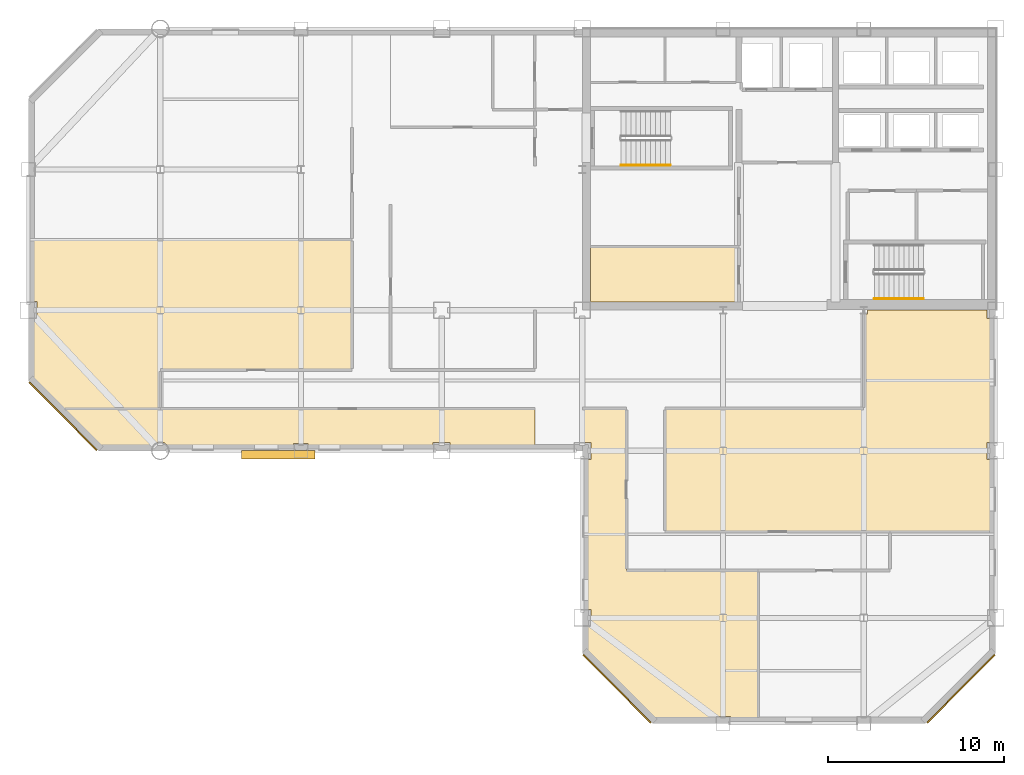
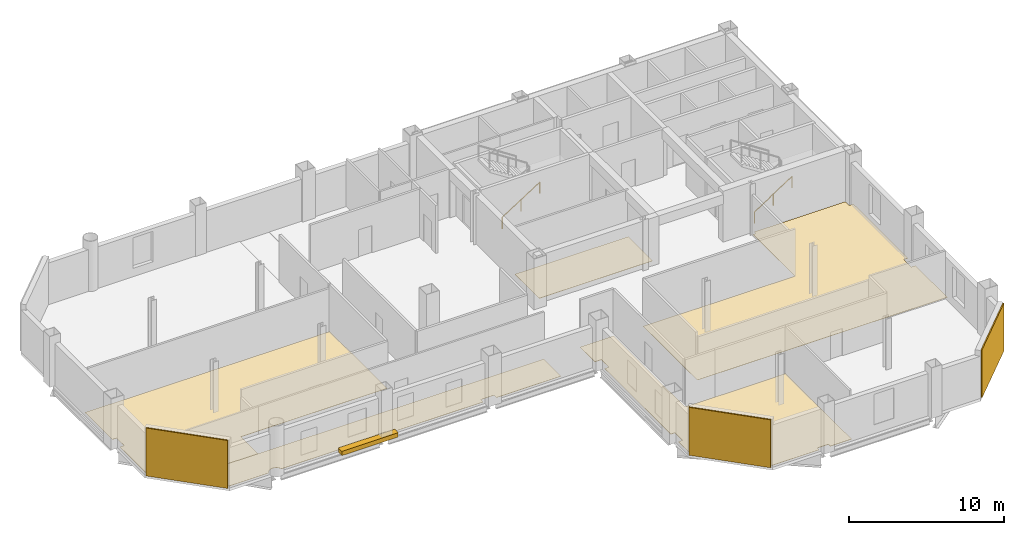
# One storey, part 7 of 10: 8 coverings, 2 railings, 1 shading device.
"""IFC4 building model written with IfcOpenShell, lengths in metres."""

from ifc_helpers import new_model, si_unit, direction, frame, origin, origin_2d, place, context, subcontext, project, spatial, polyline, rectangle, circle, outline, extrude, material, layer, layer_set, type_object, element, save


model = new_model("IFC4")

# Units and contexts
model_context = context("Model", 3, precision=1e-05, world=origin(), true_north=direction((0.0, 1.0)))
body_context = subcontext(model_context, "Body", "Model", "MODEL_VIEW")
ifc_project = project(units=[si_unit("LENGTHUNIT", "METRE"), si_unit("AREAUNIT", "SQUARE_METRE"), si_unit("VOLUMEUNIT", "CUBIC_METRE"), si_unit("PLANEANGLEUNIT", "RADIAN"), si_unit("MASSUNIT", "GRAM", prefix="KILO")], contexts=[model_context])

# Site, building, storey
site_placement = place(None, origin())
site = spatial("IfcSite", under=ifc_project, at=site_placement, CompositionType="ELEMENT")
building_placement = place(site_placement, origin())
building = spatial("IfcBuilding", under=site, at=building_placement, Name="Qianrong Seaharbour Tower", CompositionType="ELEMENT")
storey_placement = place(building_placement, frame((0.0, 0.0, 233.800048828125)))
storey = spatial("IfcBuildingStorey", under=building, at=storey_placement, Name="L56", CompositionType="ELEMENT", Elevation=233.800048828125)

# Coverings
ifc_material_1 = material(Name="Unitised red brick cladding on Precast concrete C45/55", Category="masonry")
ifc_layer_1 = layer(ifc_material_1, 0.080078125)
ifc_layer_set_1 = layer_set([ifc_layer_1], Name="Unitised red brick cladding on Precast concrete C45/55")
covering_type_1 = type_object("IfcCoveringType", Name="COV-CLAD-RED-BRICK-80", PredefinedType="CLADDING", material=ifc_layer_set_1)
for number, where, z_axis, x_axis, name in (
    (1, (10.9716796875, 29.9716796875, 0.0), (0.0, 0.0, 1.0), (-0.707106781187, 0.707106781187, 0.0), "L56 Chamfer Corner Brick Cladding 02"),
    (2, (62.0283203125, 14.4716796875, 0.0), (0.0, 0.0, 1.0), (-0.707106781187, -0.707106781187, 0.0), "L56 Chamfer Corner Brick Cladding 07"),
    (3, (42.4716796875, 14.4716796875, 0.0), (0.0, 0.0, 1.0), (-0.707106781187, 0.707106781187, 0.0), "L56 Chamfer Corner Brick Cladding 09"),
):
    element("IfcCovering", number, at=place(storey_placement, frame(where, z_axis=z_axis, x_axis=x_axis)), inside=storey, type_object=covering_type_1, Name=name, PredefinedType="CLADDING", context=body_context, shape_type="SweptSolid", body=[
        extrude(rectangle(XDim=5.456787109375, YDim=0.080078125, at=origin_2d()), origin(), (0.0, 0.0, 1.0), 3.77490234375),
    ])
ifc_material_2 = material(Name="Acoustic modular carpet tile flooring")
ifc_layer_2 = layer(ifc_material_2, 0.02001953125)
ifc_layer_set_2 = layer_set([ifc_layer_2], Name="Acoustic modular carpet tile flooring")
covering_type_2 = type_object("IfcCoveringType", Name="COV-FLOOR-CARPET-20", PredefinedType="FLOORING", material=ifc_layer_set_2)
covering_1_placement = place(storey_placement, origin())
element("IfcCovering", 4, at=covering_1_placement, inside=storey, type_object=covering_type_2, Name="L56 Wellness Room Finish Flooring", PredefinedType="FLOORING", context=body_context, shape_type="SweptSolid", body=[
    extrude(outline(polyline([(49.39990234375, 39.60009765625), (49.39990234375, 36.4599609375), (40.985107421875, 36.4599609375), (40.985107421875, 36.485107421875), (40.9599609375, 36.485107421875), (40.9599609375, 39.60009765625), (49.39990234375, 39.60009765625)])), origin(), (0.0, 0.0, 1.0), 0.02001953125),
])
covering_2_placement = place(storey_placement, origin())
element("IfcCovering", 5, at=covering_2_placement, inside=storey, type_object=covering_type_2, Name="L56 Project Library Finish Flooring", PredefinedType="FLOORING", context=body_context, shape_type="SweptSolid", body=[
    extrude(outline(polyline([(16.5, 32.60009765625), (16.5, 30.39990234375), (10.847412109375, 30.39990234375), (9.175048828125, 32.072509765625), (9.175048828125, 35.514892578125), (9.485107421875, 35.514892578125), (9.485107421875, 36.485107421875), (9.175048828125, 36.485107421875), (9.175048828125, 40.0), (27.39990234375, 40.0), (27.39990234375, 32.60009765625), (16.5, 32.60009765625)])), origin(), (0.0, 0.0, 1.0), 0.02001953125),
])
covering_3_placement = place(storey_placement, origin())
element("IfcCovering", 6, at=covering_3_placement, inside=storey, type_object=covering_type_2, Name="L56 Staff Club Assembly Hall Finish Flooring", PredefinedType="FLOORING", context=body_context, shape_type="SweptSolid", body=[
    extrude(outline(polyline([(56.5, 30.39990234375), (56.5, 35.7900390625), (56.7099609375, 35.7900390625), (56.7099609375, 36.0), (63.514892578125, 36.0), (63.514892578125, 35.514892578125), (63.824951171875, 35.514892578125), (63.824951171875, 28.485107421875), (63.514892578125, 28.485107421875), (63.514892578125, 27.514892578125), (63.824951171875, 27.514892578125), (63.824951171875, 23.39990234375), (45.199951171875, 23.39990234375), (45.199951171875, 30.39990234375), (56.5, 30.39990234375)])), origin(), (0.0, 0.0, 1.0), 0.02001953125),
])
covering_4_placement = place(storey_placement, origin())
element("IfcCovering", 7, at=covering_4_placement, inside=storey, type_object=covering_type_2, Name="L56 Wet Pantry Finish Flooring", PredefinedType="FLOORING", context=body_context, shape_type="SweptSolid", body=[
    extrude(outline(polyline([(32.985107421875, 28.175048828125), (32.985107421875, 28.485107421875), (32.014892578125, 28.485107421875), (32.014892578125, 28.175048828125), (24.909912109375, 28.175048828125), (24.909912109375, 28.409912109375), (24.090087890625, 28.409912109375), (24.090087890625, 28.175048828125), (16.977294921875, 28.175048828125), (16.97119140625, 28.1953125), (16.924072265625, 28.283203125), (16.860595703125, 28.360595703125), (16.783203125, 28.424072265625), (16.6953125, 28.47119140625), (16.599609375, 28.500244140625), (16.5, 28.510009765625), (16.400390625, 28.500244140625), (16.3046875, 28.47119140625), (16.216796875, 28.424072265625), (16.139404296875, 28.360595703125), (16.075927734375, 28.283203125), (16.02880859375, 28.1953125), (16.022705078125, 28.175048828125), (13.072509765625, 28.175048828125), (10.847412109375, 30.39990234375), (37.800048828125, 30.39990234375), (37.800048828125, 28.175048828125), (32.985107421875, 28.175048828125)])), origin(), (0.0, 0.0, 1.0), 0.02001953125),
])
covering_5_placement = place(storey_placement, origin())
element("IfcCovering", 8, at=covering_5_placement, inside=storey, type_object=covering_type_2, Name="L56 Harbour Symposium Hall 1 Finish Flooring", PredefinedType="FLOORING", context=body_context, shape_type="SweptSolid", body=[
    extrude(outline(polyline([(43.0, 21.199951171875), (50.5, 21.199951171875), (50.5, 12.675048828125), (48.909912109375, 12.675048828125), (48.909912109375, 12.909912109375), (48.090087890625, 12.909912109375), (48.090087890625, 12.675048828125), (44.572509765625, 12.675048828125), (40.675048828125, 16.572509765625), (40.675048828125, 18.014892578125), (40.985107421875, 18.014892578125), (40.985107421875, 18.985107421875), (40.675048828125, 18.985107421875), (40.675048828125, 27.514892578125), (40.985107421875, 27.514892578125), (40.985107421875, 28.485107421875), (40.5, 28.485107421875), (40.5, 30.39990234375), (43.0, 30.39990234375), (43.0, 21.199951171875)])), origin(), (0.0, 0.0, 1.0), 0.02001953125),
])

# Railings
ifc_material_3 = material(Name="Stainless steel SUS316L continuous handrail", Category="steel")
railing_type = type_object("IfcRailingType", Name="RAIL-STAIR-HANDRAIL-900", PredefinedType="HANDRAIL", material=ifc_material_3)
railing_1_placement = place(storey_placement, frame((42.699951171875, 44.25, 0.181884765625)))
element("IfcRailing", 9, at=railing_1_placement, inside=storey, type_object=railing_type, Name="L56 ST-1 stair handrail 1", PredefinedType="HANDRAIL", context=body_context, shape_type="SweptSolid", body=[
    extrude(circle(Radius=0.02392578125, at=origin_2d()), frame((0.0, 0.0, 0.8759765625), z_axis=(0.838705829183, 0.0, 0.544584733623), x_axis=(0.0, 1.0, 0.0)), (0.0, 0.0, 1.0), 3.338623046875),
    extrude(circle(Radius=0.02099609375, at=origin_2d()), origin(), (0.0, 0.0, 1.0), 0.851806640625),
    extrude(circle(Radius=0.02099609375, at=origin_2d()), frame((1.39990234375, 0.0, 0.9091796875)), (0.0, 0.0, 1.0), 0.851806640625),
    extrude(circle(Radius=0.02099609375, at=origin_2d()), frame((2.800048828125, 0.0, 1.818115234375)), (0.0, 0.0, 1.0), 0.851806640625),
])
railing_2_placement = place(storey_placement, frame((57.10009765625, 36.64990234375, 0.181884765625)))
element("IfcRailing", 10, at=railing_2_placement, inside=storey, type_object=railing_type, Name="L56 ST-2 stair handrail 1", PredefinedType="HANDRAIL", context=body_context, shape_type="SweptSolid", body=[
    extrude(circle(Radius=0.02392578125, at=origin_2d()), frame((0.0, 0.0, 0.8759765625), z_axis=(0.83868413941, 0.0, 0.544618136222), x_axis=(0.0, 1.0, 0.0)), (0.0, 0.0, 1.0), 3.33837890625),
    extrude(circle(Radius=0.02099609375, at=origin_2d()), origin(), (0.0, 0.0, 1.0), 0.851806640625),
    extrude(circle(Radius=0.02099609375, at=origin_2d()), frame((1.39990234375, 0.0, 0.9091796875)), (0.0, 0.0, 1.0), 0.851806640625),
    extrude(circle(Radius=0.02099609375, at=origin_2d()), frame((2.7998046875, 0.0, 1.818115234375)), (0.0, 0.0, 1.0), 0.851806640625),
])

# Shading device
ifc_material_4 = material(Name="White architectural precast concrete C45/55", Category="concrete")
shading_device_type = type_object("IfcShadingDeviceType", Name="SHD-SUNSHADE-WHITE-320", PredefinedType="AWNING", material=ifc_material_4)
shading_device_placement = place(storey_placement, frame((23.21240234375, 27.780029296875, -0.02001953125), z_axis=(0.0, 0.0, 1.0), x_axis=(1.0, 0.0, 0.0)))
element("IfcShadingDevice", 11, at=shading_device_placement, inside=storey, type_object=shading_device_type, Name="L56 Climbing White Precast Ribbon Canopy Fin", PredefinedType="AWNING", context=body_context, shape_type="SweptSolid", body=[
    extrude(rectangle(XDim=4.199951171875, YDim=0.4599609375, at=origin_2d()), origin(), (0.0, 0.0, 1.0), 0.340087890625),
])

save(model, "model.ifc")
